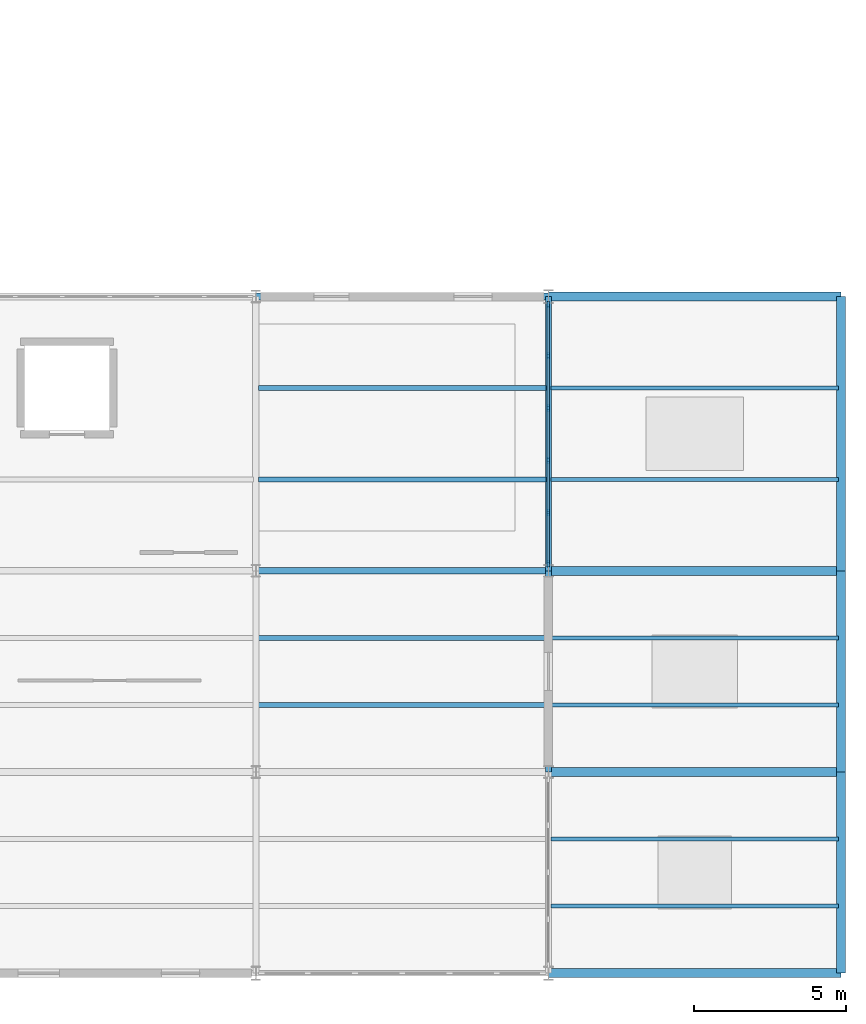
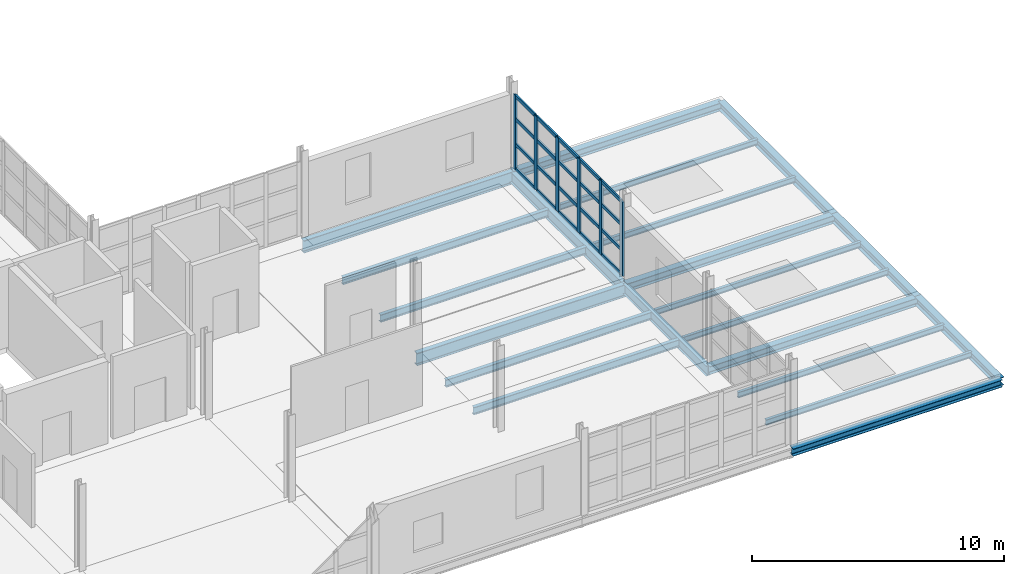
# One storey, part 7 of 15: 26 members, 21 beams, 1 element without a shape of its own.
"""IFC4 building model written with IfcOpenShell, lengths in metres."""

from ifc_helpers import new_model, si_unit, direction, frame, origin, origin_2d, place, context, subcontext, project, spatial, rectangle, i_section, extrude, material, layer, layer_set, material_profile, profile_set, type_object, element, aggregate, save


model = new_model("IFC4")

# Units and contexts
model_context = context("Model", 3, precision=1e-05, world=origin(), true_north=direction((0.0, 1.0)))
body_context = subcontext(model_context, "Body", "Model", "MODEL_VIEW")
ifc_project = project(units=[si_unit("LENGTHUNIT", "METRE"), si_unit("AREAUNIT", "SQUARE_METRE"), si_unit("VOLUMEUNIT", "CUBIC_METRE"), si_unit("PLANEANGLEUNIT", "RADIAN"), si_unit("MASSUNIT", "GRAM", prefix="KILO")], contexts=[model_context])

# Site, building, storey
site_placement = place(None, origin())
site = spatial("IfcSite", under=ifc_project, at=site_placement, CompositionType="ELEMENT")
building_placement = place(site_placement, origin())
building = spatial("IfcBuilding", under=site, at=building_placement, Name="Zarnetskaya Central Station", CompositionType="ELEMENT")
storey_placement = place(building_placement, frame((0.0, 0.0, 22.800048828125)))
storey = spatial("IfcBuildingStorey", under=building, at=storey_placement, Name="L05", CompositionType="ELEMENT", Elevation=22.800048828125)

# Beams
ifc_material_1 = material(Name="Steel S355", Category="steel")
ifc_material_profile_1 = material_profile(ifc_material_1, i_section(OverallWidth=0.135009765625, OverallDepth=0.27001953125, WebThickness=0.006591796875, FlangeThickness=0.01025390625, FilletRadius=0.014892578125, at=origin_2d()), Name="IPE 270")
ifc_profile_set_1 = profile_set([ifc_material_profile_1], Name="Steel S355")
beam_type_1 = type_object("IfcBeamType", Name="BM-JST-270", PredefinedType="JOIST", material=ifc_profile_set_1)
for number, where, z_axis, x_axis, name in (
    (1, (38.47998046875, 2.199951171875, -0.344970703125), (1.0, 0.0, 0.0), (0.0, 1.0, 0.0), "Secondary floor beam SEC-L05-Z2259-EF-12-1"),
    (2, (38.47998046875, 4.39990234375, -0.344970703125), (1.0, 0.0, 0.0), (0.0, 1.0, 0.0), "Secondary floor beam SEC-L05-Z2259-EF-12-2"),
    (3, (38.47998046875, 8.800048828125, -0.344970703125), (1.0, 0.0, 0.0), (0.0, 1.0, 0.0), "Secondary floor beam SEC-L05-Z2259-EF-23-1"),
    (4, (38.47998046875, 11.0, -0.344970703125), (1.0, 0.0, 0.0), (0.0, 1.0, 0.0), "Secondary floor beam SEC-L05-Z2259-EF-23-2"),
    (5, (38.47998046875, 16.199951171875, -0.344970703125), (1.0, 0.0, 0.0), (0.0, 1.0, 0.0), "Secondary floor beam SEC-L05-Z2259-EF-34-1"),
    (6, (38.47998046875, 19.199951171875, -0.344970703125), (1.0, 0.0, 0.0), (0.0, 1.0, 0.0), "Secondary floor beam SEC-L05-Z2259-EF-34-2"),
):
    element("IfcBeam", number, at=place(storey_placement, frame(where, z_axis=z_axis, x_axis=x_axis)), inside=storey, type_object=beam_type_1, Name=name, PredefinedType="JOIST", context=body_context, shape_type="SweptSolid", body=[
        extrude(i_section(OverallWidth=0.135009765625, OverallDepth=0.27001953125, WebThickness=0.006591796875, FlangeThickness=0.01025390625, FilletRadius=0.014892578125, at=origin_2d()), origin(), (0.0, 0.0, 1.0), 9.43994140625),
    ])
ifc_material_profile_2 = material_profile(ifc_material_1, i_section(OverallWidth=0.169921875, OverallDepth=0.360107421875, WebThickness=0.008056640625, FlangeThickness=0.0126953125, FilletRadius=0.01806640625, at=origin_2d()), Name="IPE 360")
ifc_profile_set_2 = profile_set([ifc_material_profile_2], Name="Steel S355")
beam_type_2 = type_object("IfcBeamType", Name="BM-SEC-360", PredefinedType="BEAM", material=ifc_profile_set_2)
for number, where, z_axis, x_axis, name in (
    (7, (28.8798828125, 8.800048828125, -0.420166015625), (1.0, 0.0, 0.0), (0.0, 1.0, 0.0), "Secondary floor beam SEC-L05-Z2256-DE-23-1"),
    (8, (28.8798828125, 11.0, -0.420166015625), (1.0, 0.0, 0.0), (0.0, 1.0, 0.0), "Secondary floor beam SEC-L05-Z2256-DE-23-2"),
    (9, (28.8798828125, 16.199951171875, -0.420166015625), (1.0, 0.0, 0.0), (0.0, 1.0, 0.0), "Secondary floor beam SEC-L05-Z2256-DE-34-1"),
    (10, (28.8798828125, 19.199951171875, -0.420166015625), (1.0, 0.0, 0.0), (0.0, 1.0, 0.0), "Secondary floor beam SEC-L05-Z2256-DE-34-2"),
):
    element("IfcBeam", number, at=place(storey_placement, frame(where, z_axis=z_axis, x_axis=x_axis)), inside=storey, type_object=beam_type_2, Name=name, PredefinedType="BEAM", context=body_context, shape_type="SweptSolid", body=[
        extrude(i_section(OverallWidth=0.169921875, OverallDepth=0.360107421875, WebThickness=0.008056640625, FlangeThickness=0.0126953125, FilletRadius=0.01806640625, at=origin_2d()), origin(), (0.0, 0.0, 1.0), 9.440185546875),
    ])
ifc_material_profile_3 = material_profile(ifc_material_1, i_section(OverallWidth=0.300048828125, OverallDepth=0.35009765625, WebThickness=0.010009765625, FlangeThickness=0.017578125, FilletRadius=0.027099609375, at=origin_2d()), Name="HEA 360")
ifc_profile_set_3 = profile_set([ifc_material_profile_3], Name="Steel S355")
beam_type_3 = type_object("IfcBeamType", Name="BM-SPN-EAVE", PredefinedType="SPANDREL", material=ifc_profile_set_3)
beam_1_placement = place(storey_placement, frame((38.39990234375, 0.0, -0.385009765625), z_axis=(1.0, 0.0, 0.0), x_axis=(0.0, 1.0, 0.0)))
element("IfcBeam", 11, at=beam_1_placement, inside=storey, type_object=beam_type_3, Name="Grid girder GX-L05-1-EF", PredefinedType="SPANDREL", context=body_context, shape_type="SweptSolid", body=[
    extrude(i_section(OverallWidth=0.300048828125, OverallDepth=0.35009765625, WebThickness=0.010009765625, FlangeThickness=0.017578125, FilletRadius=0.027099609375, at=origin_2d()), origin(), (0.0, 0.0, 1.0), 9.60009765625),
])

# Curtain wall, members
ifc_material_2 = material(Name="Low-E insulated glass", Category="glass")
ifc_layer = layer(ifc_material_2, 0.1640625, Name="Low-E insulated glass", Category="glass")
ifc_layer_set = layer_set([ifc_layer], Name="Low-E insulated glass")
curtain_wall_type = type_object("IfcCurtainWallType", Name="CW-SYS-07", PredefinedType="USERDEFINED", material=ifc_layer_set)
curtain_wall_placement = place(storey_placement, origin())
curtain_wall = element("IfcCurtainWall", 12, at=curtain_wall_placement, inside=storey, type_object=curtain_wall_type, Name="Curtain wall CW-L05-070", ObjectType="CURTAIN WALL", PredefinedType="USERDEFINED")
ifc_material_3 = material(Name="Anodised aluminium", Category="aluminium")
ifc_material_profile_4 = material_profile(ifc_material_3, rectangle(XDim=0.080078125, YDim=0.219970703125, at=origin_2d()), Name="ALU MULL 80x220")
ifc_profile_set_4 = profile_set([ifc_material_profile_4], Name="Anodised aluminium")
member_type_1 = type_object("IfcMemberType", Name="CW-MULL-220", PredefinedType="MULLION", material=ifc_profile_set_4)
member_1_placement = place(storey_placement, frame((38.39990234375, 21.93505859375, 0.0), z_axis=(0.0, 0.0, 1.0), x_axis=(1.0, 0.0, 0.0)))
member_1 = element("IfcMember", 13, at=member_1_placement, type_object=member_type_1, Name="CW-06 mullion 1", PredefinedType="MULLION", context=body_context, shape_type="SweptSolid", body=[
    extrude(rectangle(XDim=0.080078125, YDim=0.219970703125, at=origin_2d()), origin(), (0.0, 0.0, 1.0), 3.599853515625),
])
member_2_placement = place(storey_placement, frame((38.39990234375, 20.260009765625, 0.0), z_axis=(0.0, 0.0, 1.0), x_axis=(1.0, 0.0, 0.0)))
member_2 = element("IfcMember", 14, at=member_2_placement, type_object=member_type_1, Name="CW-06 mullion 2", PredefinedType="MULLION", context=body_context, shape_type="SweptSolid", body=[
    extrude(rectangle(XDim=0.080078125, YDim=0.219970703125, at=origin_2d()), origin(), (0.0, 0.0, 1.0), 3.599853515625),
])
member_3_placement = place(storey_placement, frame((38.39990234375, 18.544921875, 0.0), z_axis=(0.0, 0.0, 1.0), x_axis=(1.0, 0.0, 0.0)))
member_3 = element("IfcMember", 15, at=member_3_placement, type_object=member_type_1, Name="CW-06 mullion 3", PredefinedType="MULLION", context=body_context, shape_type="SweptSolid", body=[
    extrude(rectangle(XDim=0.080078125, YDim=0.219970703125, at=origin_2d()), origin(), (0.0, 0.0, 1.0), 3.599853515625),
])
member_4_placement = place(storey_placement, frame((38.39990234375, 16.830078125, 0.0), z_axis=(0.0, 0.0, 1.0), x_axis=(1.0, 0.0, 0.0)))
member_4 = element("IfcMember", 16, at=member_4_placement, type_object=member_type_1, Name="CW-06 mullion 4", PredefinedType="MULLION", context=body_context, shape_type="SweptSolid", body=[
    extrude(rectangle(XDim=0.080078125, YDim=0.219970703125, at=origin_2d()), origin(), (0.0, 0.0, 1.0), 3.599853515625),
])
member_5_placement = place(storey_placement, frame((38.39990234375, 15.114990234375, 0.0), z_axis=(0.0, 0.0, 1.0), x_axis=(1.0, 0.0, 0.0)))
member_5 = element("IfcMember", 17, at=member_5_placement, type_object=member_type_1, Name="CW-06 mullion 5", PredefinedType="MULLION", context=body_context, shape_type="SweptSolid", body=[
    extrude(rectangle(XDim=0.080078125, YDim=0.219970703125, at=origin_2d()), origin(), (0.0, 0.0, 1.0), 3.599853515625),
])
member_6_placement = place(storey_placement, frame((38.39990234375, 13.43994140625, 0.0), z_axis=(0.0, 0.0, 1.0), x_axis=(1.0, 0.0, 0.0)))
member_6 = element("IfcMember", 18, at=member_6_placement, type_object=member_type_1, Name="CW-06 mullion 6", PredefinedType="MULLION", context=body_context, shape_type="SweptSolid", body=[
    extrude(rectangle(XDim=0.080078125, YDim=0.219970703125, at=origin_2d()), origin(), (0.0, 0.0, 1.0), 3.599853515625),
])
ifc_material_profile_5 = material_profile(ifc_material_3, rectangle(XDim=0.080078125, YDim=0.159912109375, at=origin_2d()), Name="ALU TRAN 80x160")
ifc_profile_set_5 = profile_set([ifc_material_profile_5], Name="Anodised aluminium")
member_type_2 = type_object("IfcMemberType", Name="CW-TRAN-160", PredefinedType="USERDEFINED", material=ifc_profile_set_5)
member_7_placement = place(storey_placement, frame((38.39990234375, 21.89501953125, 0.0400390625), z_axis=(0.0, -1.0, 0.0), x_axis=(1.0, 0.0, 0.0)))
member_7 = element("IfcMember", 19, at=member_7_placement, type_object=member_type_2, Name="CW-06 transom 1.1", ObjectType="TRANSOM", PredefinedType="USERDEFINED", context=body_context, shape_type="SweptSolid", body=[
    extrude(rectangle(XDim=0.080078125, YDim=0.159912109375, at=origin_2d()), origin(), (0.0, 0.0, 1.0), 1.594970703125),
])
member_8_placement = place(storey_placement, frame((38.39990234375, 21.89501953125, 1.223876953125), z_axis=(0.0, -1.0, 0.0), x_axis=(1.0, 0.0, 0.0)))
member_8 = element("IfcMember", 20, at=member_8_placement, type_object=member_type_2, Name="CW-06 transom 1.2", ObjectType="TRANSOM", PredefinedType="USERDEFINED", context=body_context, shape_type="SweptSolid", body=[
    extrude(rectangle(XDim=0.080078125, YDim=0.159912109375, at=origin_2d()), origin(), (0.0, 0.0, 1.0), 1.594970703125),
])
member_9_placement = place(storey_placement, frame((38.39990234375, 21.89501953125, 2.447998046875), z_axis=(0.0, -1.0, 0.0), x_axis=(1.0, 0.0, 0.0)))
member_9 = element("IfcMember", 21, at=member_9_placement, type_object=member_type_2, Name="CW-06 transom 1.3", ObjectType="TRANSOM", PredefinedType="USERDEFINED", context=body_context, shape_type="SweptSolid", body=[
    extrude(rectangle(XDim=0.080078125, YDim=0.159912109375, at=origin_2d()), origin(), (0.0, 0.0, 1.0), 1.594970703125),
])
member_10_placement = place(storey_placement, frame((38.39990234375, 21.89501953125, 3.56005859375), z_axis=(0.0, -1.0, 0.0), x_axis=(1.0, 0.0, 0.0)))
member_10 = element("IfcMember", 22, at=member_10_placement, type_object=member_type_2, Name="CW-06 transom 1.4", ObjectType="TRANSOM", PredefinedType="USERDEFINED", context=body_context, shape_type="SweptSolid", body=[
    extrude(rectangle(XDim=0.080078125, YDim=0.159912109375, at=origin_2d()), origin(), (0.0, 0.0, 1.0), 1.594970703125),
])
member_11_placement = place(storey_placement, frame((38.39990234375, 20.219970703125, 0.0400390625), z_axis=(0.0, -1.0, 0.0), x_axis=(1.0, 0.0, 0.0)))
member_11 = element("IfcMember", 23, at=member_11_placement, type_object=member_type_2, Name="CW-06 transom 2.1", ObjectType="TRANSOM", PredefinedType="USERDEFINED", context=body_context, shape_type="SweptSolid", body=[
    extrude(rectangle(XDim=0.080078125, YDim=0.159912109375, at=origin_2d()), origin(), (0.0, 0.0, 1.0), 1.635009765625),
])
member_12_placement = place(storey_placement, frame((38.39990234375, 20.219970703125, 1.223876953125), z_axis=(0.0, -1.0, 0.0), x_axis=(1.0, 0.0, 0.0)))
member_12 = element("IfcMember", 24, at=member_12_placement, type_object=member_type_2, Name="CW-06 transom 2.2", ObjectType="TRANSOM", PredefinedType="USERDEFINED", context=body_context, shape_type="SweptSolid", body=[
    extrude(rectangle(XDim=0.080078125, YDim=0.159912109375, at=origin_2d()), origin(), (0.0, 0.0, 1.0), 1.635009765625),
])
member_13_placement = place(storey_placement, frame((38.39990234375, 20.219970703125, 2.447998046875), z_axis=(0.0, -1.0, 0.0), x_axis=(1.0, 0.0, 0.0)))
member_13 = element("IfcMember", 25, at=member_13_placement, type_object=member_type_2, Name="CW-06 transom 2.3", ObjectType="TRANSOM", PredefinedType="USERDEFINED", context=body_context, shape_type="SweptSolid", body=[
    extrude(rectangle(XDim=0.080078125, YDim=0.159912109375, at=origin_2d()), origin(), (0.0, 0.0, 1.0), 1.635009765625),
])
member_14_placement = place(storey_placement, frame((38.39990234375, 20.219970703125, 3.56005859375), z_axis=(0.0, -1.0, 0.0), x_axis=(1.0, 0.0, 0.0)))
member_14 = element("IfcMember", 26, at=member_14_placement, type_object=member_type_2, Name="CW-06 transom 2.4", ObjectType="TRANSOM", PredefinedType="USERDEFINED", context=body_context, shape_type="SweptSolid", body=[
    extrude(rectangle(XDim=0.080078125, YDim=0.159912109375, at=origin_2d()), origin(), (0.0, 0.0, 1.0), 1.635009765625),
])
member_15_placement = place(storey_placement, frame((38.39990234375, 18.5048828125, 0.0400390625), z_axis=(0.0, -1.0, 0.0), x_axis=(1.0, 0.0, 0.0)))
member_15 = element("IfcMember", 27, at=member_15_placement, type_object=member_type_2, Name="CW-06 transom 3.1", ObjectType="TRANSOM", PredefinedType="USERDEFINED", context=body_context, shape_type="SweptSolid", body=[
    extrude(rectangle(XDim=0.080078125, YDim=0.159912109375, at=origin_2d()), origin(), (0.0, 0.0, 1.0), 1.634765625),
])
member_16_placement = place(storey_placement, frame((38.39990234375, 18.5048828125, 1.223876953125), z_axis=(0.0, -1.0, 0.0), x_axis=(1.0, 0.0, 0.0)))
member_16 = element("IfcMember", 28, at=member_16_placement, type_object=member_type_2, Name="CW-06 transom 3.2", ObjectType="TRANSOM", PredefinedType="USERDEFINED", context=body_context, shape_type="SweptSolid", body=[
    extrude(rectangle(XDim=0.080078125, YDim=0.159912109375, at=origin_2d()), origin(), (0.0, 0.0, 1.0), 1.634765625),
])
member_17_placement = place(storey_placement, frame((38.39990234375, 18.5048828125, 2.447998046875), z_axis=(0.0, -1.0, 0.0), x_axis=(1.0, 0.0, 0.0)))
member_17 = element("IfcMember", 29, at=member_17_placement, type_object=member_type_2, Name="CW-06 transom 3.3", ObjectType="TRANSOM", PredefinedType="USERDEFINED", context=body_context, shape_type="SweptSolid", body=[
    extrude(rectangle(XDim=0.080078125, YDim=0.159912109375, at=origin_2d()), origin(), (0.0, 0.0, 1.0), 1.634765625),
])
member_18_placement = place(storey_placement, frame((38.39990234375, 18.5048828125, 3.56005859375), z_axis=(0.0, -1.0, 0.0), x_axis=(1.0, 0.0, 0.0)))
member_18 = element("IfcMember", 30, at=member_18_placement, type_object=member_type_2, Name="CW-06 transom 3.4", ObjectType="TRANSOM", PredefinedType="USERDEFINED", context=body_context, shape_type="SweptSolid", body=[
    extrude(rectangle(XDim=0.080078125, YDim=0.159912109375, at=origin_2d()), origin(), (0.0, 0.0, 1.0), 1.634765625),
])
member_19_placement = place(storey_placement, frame((38.39990234375, 16.7900390625, 0.0400390625), z_axis=(0.0, -1.0, 0.0), x_axis=(1.0, 0.0, 0.0)))
member_19 = element("IfcMember", 31, at=member_19_placement, type_object=member_type_2, Name="CW-06 transom 4.1", ObjectType="TRANSOM", PredefinedType="USERDEFINED", context=body_context, shape_type="SweptSolid", body=[
    extrude(rectangle(XDim=0.080078125, YDim=0.159912109375, at=origin_2d()), origin(), (0.0, 0.0, 1.0), 1.635009765625),
])
member_20_placement = place(storey_placement, frame((38.39990234375, 16.7900390625, 1.223876953125), z_axis=(0.0, -1.0, 0.0), x_axis=(1.0, 0.0, 0.0)))
member_20 = element("IfcMember", 32, at=member_20_placement, type_object=member_type_2, Name="CW-06 transom 4.2", ObjectType="TRANSOM", PredefinedType="USERDEFINED", context=body_context, shape_type="SweptSolid", body=[
    extrude(rectangle(XDim=0.080078125, YDim=0.159912109375, at=origin_2d()), origin(), (0.0, 0.0, 1.0), 1.635009765625),
])
member_21_placement = place(storey_placement, frame((38.39990234375, 16.7900390625, 2.447998046875), z_axis=(0.0, -1.0, 0.0), x_axis=(1.0, 0.0, 0.0)))
member_21 = element("IfcMember", 33, at=member_21_placement, type_object=member_type_2, Name="CW-06 transom 4.3", ObjectType="TRANSOM", PredefinedType="USERDEFINED", context=body_context, shape_type="SweptSolid", body=[
    extrude(rectangle(XDim=0.080078125, YDim=0.159912109375, at=origin_2d()), origin(), (0.0, 0.0, 1.0), 1.635009765625),
])
member_22_placement = place(storey_placement, frame((38.39990234375, 16.7900390625, 3.56005859375), z_axis=(0.0, -1.0, 0.0), x_axis=(1.0, 0.0, 0.0)))
member_22 = element("IfcMember", 34, at=member_22_placement, type_object=member_type_2, Name="CW-06 transom 4.4", ObjectType="TRANSOM", PredefinedType="USERDEFINED", context=body_context, shape_type="SweptSolid", body=[
    extrude(rectangle(XDim=0.080078125, YDim=0.159912109375, at=origin_2d()), origin(), (0.0, 0.0, 1.0), 1.635009765625),
])
member_23_placement = place(storey_placement, frame((38.39990234375, 15.074951171875, 0.0400390625), z_axis=(0.0, -1.0, 0.0), x_axis=(1.0, 0.0, 0.0)))
member_23 = element("IfcMember", 35, at=member_23_placement, type_object=member_type_2, Name="CW-06 transom 5.1", ObjectType="TRANSOM", PredefinedType="USERDEFINED", context=body_context, shape_type="SweptSolid", body=[
    extrude(rectangle(XDim=0.080078125, YDim=0.159912109375, at=origin_2d()), origin(), (0.0, 0.0, 1.0), 1.594970703125),
])
member_24_placement = place(storey_placement, frame((38.39990234375, 15.074951171875, 1.223876953125), z_axis=(0.0, -1.0, 0.0), x_axis=(1.0, 0.0, 0.0)))
member_24 = element("IfcMember", 36, at=member_24_placement, type_object=member_type_2, Name="CW-06 transom 5.2", ObjectType="TRANSOM", PredefinedType="USERDEFINED", context=body_context, shape_type="SweptSolid", body=[
    extrude(rectangle(XDim=0.080078125, YDim=0.159912109375, at=origin_2d()), origin(), (0.0, 0.0, 1.0), 1.594970703125),
])
member_25_placement = place(storey_placement, frame((38.39990234375, 15.074951171875, 2.447998046875), z_axis=(0.0, -1.0, 0.0), x_axis=(1.0, 0.0, 0.0)))
member_25 = element("IfcMember", 37, at=member_25_placement, type_object=member_type_2, Name="CW-06 transom 5.3", ObjectType="TRANSOM", PredefinedType="USERDEFINED", context=body_context, shape_type="SweptSolid", body=[
    extrude(rectangle(XDim=0.080078125, YDim=0.159912109375, at=origin_2d()), origin(), (0.0, 0.0, 1.0), 1.594970703125),
])
member_26_placement = place(storey_placement, frame((38.39990234375, 15.074951171875, 3.56005859375), z_axis=(0.0, -1.0, 0.0), x_axis=(1.0, 0.0, 0.0)))
member_26 = element("IfcMember", 38, at=member_26_placement, type_object=member_type_2, Name="CW-06 transom 5.4", ObjectType="TRANSOM", PredefinedType="USERDEFINED", context=body_context, shape_type="SweptSolid", body=[
    extrude(rectangle(XDim=0.080078125, YDim=0.159912109375, at=origin_2d()), origin(), (0.0, 0.0, 1.0), 1.594970703125),
])
aggregate(curtain_wall, [member_1, member_2, member_3, member_4, member_5, member_6, member_7, member_8, member_9, member_10, member_11, member_12, member_13, member_14, member_15, member_16, member_17, member_18, member_19, member_20, member_21, member_22, member_23, member_24, member_25, member_26])

# Beams
ifc_material_profile_6 = material_profile(ifc_material_1, i_section(OverallWidth=0.199951171875, OverallDepth=0.5, WebThickness=0.01025390625, FlangeThickness=0.01611328125, FilletRadius=0.02099609375, at=origin_2d()), Name="IPE 500")
ifc_profile_set_6 = profile_set([ifc_material_profile_6], Name="Steel S355")
beam_type_4 = type_object("IfcBeamType", Name="GD-FLR-500", PredefinedType="USERDEFINED", material=ifc_profile_set_6)
beam_2_placement = place(storey_placement, frame((38.39990234375, 6.60009765625, -0.489990234375), z_axis=(0.0, 1.0, 0.0), x_axis=(-1.0, 0.0, 0.0)))
element("IfcBeam", 39, at=beam_2_placement, inside=storey, type_object=beam_type_4, Name="Grid girder GY-L05-E-23", ObjectType="GIRDER", PredefinedType="USERDEFINED", context=body_context, shape_type="SweptSolid", body=[
    extrude(i_section(OverallWidth=0.199951171875, OverallDepth=0.5, WebThickness=0.01025390625, FlangeThickness=0.01611328125, FilletRadius=0.02099609375, at=origin_2d()), origin(), (0.0, 0.0, 1.0), 6.599853515625),
])
ifc_material_profile_7 = material_profile(ifc_material_1, i_section(OverallWidth=0.2099609375, OverallDepth=0.550048828125, WebThickness=0.010986328125, FlangeThickness=0.01708984375, FilletRadius=0.02392578125, at=origin_2d()), Name="IPE 550")
ifc_profile_set_7 = profile_set([ifc_material_profile_7], Name="Steel S355")
beam_type_5 = type_object("IfcBeamType", Name="GD-FLR-550", PredefinedType="USERDEFINED", material=ifc_profile_set_7)
beam_3_placement = place(storey_placement, frame((38.39990234375, 13.199951171875, -0.51513671875), z_axis=(0.0, 1.0, 0.0), x_axis=(-1.0, 0.0, 0.0)))
element("IfcBeam", 40, at=beam_3_placement, inside=storey, type_object=beam_type_5, Name="Grid girder GY-L05-E-34", ObjectType="GIRDER", PredefinedType="USERDEFINED", context=body_context, shape_type="SweptSolid", body=[
    extrude(i_section(OverallWidth=0.2099609375, OverallDepth=0.550048828125, WebThickness=0.010986328125, FlangeThickness=0.01708984375, FilletRadius=0.02392578125, at=origin_2d()), origin(), (0.0, 0.0, 1.0), 9.0),
])
ifc_material_profile_8 = material_profile(ifc_material_1, i_section(OverallWidth=0.219970703125, OverallDepth=0.60009765625, WebThickness=0.011962890625, FlangeThickness=0.01904296875, FilletRadius=0.02392578125, at=origin_2d()), Name="IPE 600")
ifc_profile_set_8 = profile_set([ifc_material_profile_8], Name="Steel S355")
beam_type_6 = type_object("IfcBeamType", Name="GD-FLR-600", PredefinedType="USERDEFINED", material=ifc_profile_set_8)
for number, where, z_axis, x_axis, name in (
    (41, (28.800048828125, 13.199951171875, -0.5400390625), (1.0, 0.0, 0.0), (0.0, 1.0, 0.0), "Grid girder GX-L05-3-DE"),
    (42, (28.800048828125, 22.199951171875, -0.5400390625), (1.0, 0.0, 0.0), (0.0, 1.0, 0.0), "Grid girder GX-L05-4-DE"),
):
    element("IfcBeam", number, at=place(storey_placement, frame(where, z_axis=z_axis, x_axis=x_axis)), inside=storey, type_object=beam_type_6, Name=name, ObjectType="GIRDER", PredefinedType="USERDEFINED", context=body_context, shape_type="SweptSolid", body=[
        extrude(i_section(OverallWidth=0.219970703125, OverallDepth=0.60009765625, WebThickness=0.011962890625, FlangeThickness=0.01904296875, FilletRadius=0.02392578125, at=origin_2d()), origin(), (0.0, 0.0, 1.0), 9.599853515625),
    ])
ifc_material_profile_9 = material_profile(ifc_material_1, i_section(OverallWidth=0.300048828125, OverallDepth=0.389892578125, WebThickness=0.010986328125, FlangeThickness=0.01904296875, FilletRadius=0.027099609375, at=origin_2d()), Name="HEA 400")
ifc_profile_set_9 = profile_set([ifc_material_profile_9], Name="Steel S355")
beam_type_7 = type_object("IfcBeamType", Name="GD-ROOF-400", PredefinedType="USERDEFINED", material=ifc_profile_set_9)
for number, where, z_axis, x_axis, name in (
    (43, (38.39990234375, 6.60009765625, -0.405029296875), (1.0, 0.0, 0.0), (0.0, 1.0, 0.0), "Grid girder GX-L05-2-EF"),
    (44, (38.39990234375, 13.199951171875, -0.405029296875), (1.0, 0.0, 0.0), (0.0, 1.0, 0.0), "Grid girder GX-L05-3-EF"),
    (45, (38.39990234375, 22.199951171875, -0.405029296875), (1.0, 0.0, 0.0), (0.0, 1.0, 0.0), "Grid girder GX-L05-4-EF"),
):
    element("IfcBeam", number, at=place(storey_placement, frame(where, z_axis=z_axis, x_axis=x_axis)), inside=storey, type_object=beam_type_7, Name=name, ObjectType="GIRDER", PredefinedType="USERDEFINED", context=body_context, shape_type="SweptSolid", body=[
        extrude(i_section(OverallWidth=0.300048828125, OverallDepth=0.389892578125, WebThickness=0.010986328125, FlangeThickness=0.01904296875, FilletRadius=0.027099609375, at=origin_2d()), origin(), (0.0, 0.0, 1.0), 9.60009765625),
    ])
beam_4_placement = place(storey_placement, frame((48.0, 0.0, -0.405029296875), z_axis=(0.0, 1.0, 0.0), x_axis=(-1.0, 0.0, 0.0)))
element("IfcBeam", 46, at=beam_4_placement, inside=storey, type_object=beam_type_7, Name="Grid girder GY-L05-F-12", ObjectType="GIRDER", PredefinedType="USERDEFINED", context=body_context, shape_type="SweptSolid", body=[
    extrude(i_section(OverallWidth=0.300048828125, OverallDepth=0.389892578125, WebThickness=0.010986328125, FlangeThickness=0.01904296875, FilletRadius=0.027099609375, at=origin_2d()), origin(), (0.0, 0.0, 1.0), 6.60009765625),
])
beam_5_placement = place(storey_placement, frame((48.0, 6.60009765625, -0.405029296875), z_axis=(0.0, 1.0, 0.0), x_axis=(-1.0, 0.0, 0.0)))
element("IfcBeam", 47, at=beam_5_placement, inside=storey, type_object=beam_type_7, Name="Grid girder GY-L05-F-23", ObjectType="GIRDER", PredefinedType="USERDEFINED", context=body_context, shape_type="SweptSolid", body=[
    extrude(i_section(OverallWidth=0.300048828125, OverallDepth=0.389892578125, WebThickness=0.010986328125, FlangeThickness=0.01904296875, FilletRadius=0.027099609375, at=origin_2d()), origin(), (0.0, 0.0, 1.0), 6.599853515625),
])
beam_6_placement = place(storey_placement, frame((48.0, 13.199951171875, -0.405029296875), z_axis=(0.0, 1.0, 0.0), x_axis=(-1.0, 0.0, 0.0)))
element("IfcBeam", 48, at=beam_6_placement, inside=storey, type_object=beam_type_7, Name="Grid girder GY-L05-F-34", ObjectType="GIRDER", PredefinedType="USERDEFINED", context=body_context, shape_type="SweptSolid", body=[
    extrude(i_section(OverallWidth=0.300048828125, OverallDepth=0.389892578125, WebThickness=0.010986328125, FlangeThickness=0.01904296875, FilletRadius=0.027099609375, at=origin_2d()), origin(), (0.0, 0.0, 1.0), 9.0),
])

save(model, "model.ifc")
